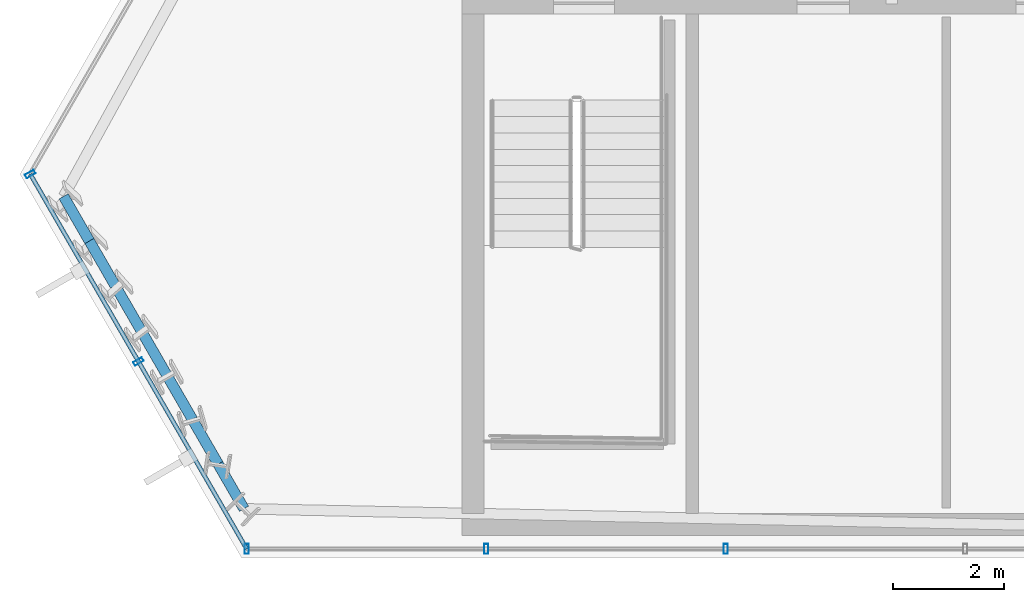
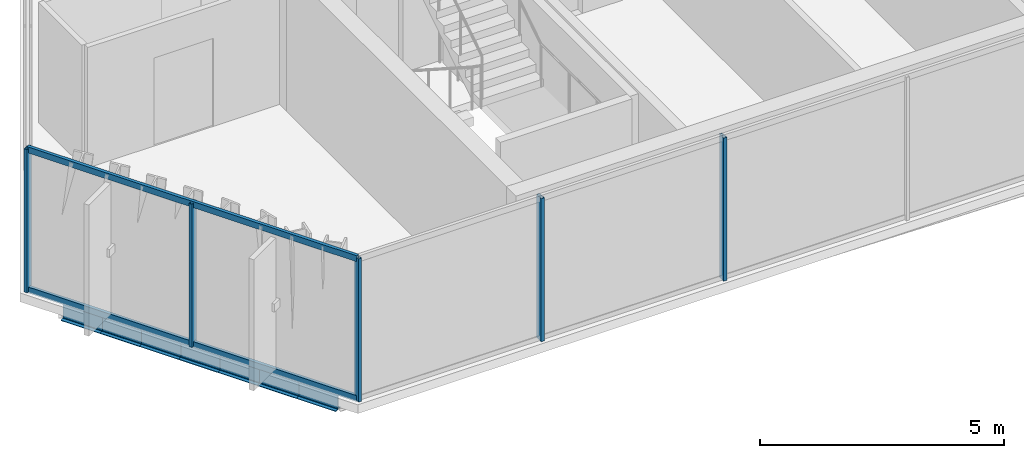
# One storey, part 2 of 30: 7 beams, 7 members, 2 elements without a shape of their own.
"""IFC4 building model written with IfcOpenShell, lengths in metres."""

from ifc_helpers import new_model, si_unit, direction, frame, origin, origin_2d, place, context, subcontext, project, spatial, hollow_rectangle, i_section, extrude, material, layer, layer_set, material_profile, profile_set, type_object, element, aggregate, save


model = new_model("IFC4")

# Units and contexts
model_context = context("Model", 3, precision=1e-05, world=origin(), true_north=direction((0.0, 1.0)))
body_context = subcontext(model_context, "Body", "Model", "MODEL_VIEW")
ifc_project = project(units=[si_unit("LENGTHUNIT", "METRE"), si_unit("AREAUNIT", "SQUARE_METRE"), si_unit("VOLUMEUNIT", "CUBIC_METRE"), si_unit("PLANEANGLEUNIT", "RADIAN"), si_unit("MASSUNIT", "GRAM", prefix="KILO")], contexts=[model_context])

# Site, building, storey
site_placement = place(None, origin())
site = spatial("IfcSite", under=ifc_project, at=site_placement, CompositionType="ELEMENT")
building_placement = place(site_placement, origin())
building = spatial("IfcBuilding", under=site, at=building_placement, Name="Ndaravel Arena Tower", CompositionType="ELEMENT")
storey_placement = place(building_placement, frame((0.0, 0.0, 225.60009765625)))
storey = spatial("IfcBuildingStorey", under=building, at=storey_placement, Name="L54", CompositionType="ELEMENT", Elevation=225.60009765625)

# Beams
ifc_material_1 = material(Name="Steel S355", Category="steel")
ifc_material_profile_1 = material_profile(ifc_material_1, i_section(OverallWidth=0.18994140625, OverallDepth=0.449951171875, WebThickness=0.009521484375, FlangeThickness=0.0146484375, FilletRadius=0.02099609375, at=origin_2d()), Name="IPE 450")
ifc_profile_set_1 = profile_set([ifc_material_profile_1], Name="Steel S355")
beam_type = type_object("IfcBeamType", Name="BM-SPAN-IPE450", PredefinedType="SPANDREL", material=ifc_profile_set_1)
beam_1_placement = place(storey_placement, frame((19.2666015625, 11.515869140625, -0.445068359375), z_axis=(0.499896791762, -0.866084982889, 0.0), x_axis=(0.866084982889, 0.499896791762, 0.0)))
element("IfcBeam", 1, at=beam_1_placement, inside=storey, type_object=beam_type, Name="L54 Perimeter Spandrel Beam SP-20", PredefinedType="SPANDREL", context=body_context, shape_type="SweptSolid", body=[
    extrude(i_section(OverallWidth=0.18994140625, OverallDepth=0.449951171875, WebThickness=0.009521484375, FlangeThickness=0.0146484375, FilletRadius=0.02099609375, at=origin_2d()), origin(), (0.0, 0.0, 1.0), 0.929443359375),
])
for number, where, z_axis, x_axis, name in (
    (2, (19.731201171875, 10.7109375, -0.445068359375), (0.500207565094, -0.865905532852, 0.0), (0.865905532852, 0.500207565094, 0.0), "L54 Perimeter Spandrel Beam SP-21"),
    (3, (20.196044921875, 9.90625, -0.445068359375), (0.500010545262, -0.866019315389, 0.0), (0.866019315389, 0.500010545262, 0.0), "L54 Perimeter Spandrel Beam SP-22"),
):
    element("IfcBeam", number, at=place(storey_placement, frame(where, z_axis=z_axis, x_axis=x_axis)), inside=storey, type_object=beam_type, Name=name, PredefinedType="SPANDREL", context=body_context, shape_type="SweptSolid", body=[
        extrude(i_section(OverallWidth=0.18994140625, OverallDepth=0.449951171875, WebThickness=0.009521484375, FlangeThickness=0.0146484375, FilletRadius=0.02099609375, at=origin_2d()), origin(), (0.0, 0.0, 1.0), 0.92919921875),
    ])
beam_2_placement = place(storey_placement, frame((20.66064453125, 9.1015625, -0.445068359375), z_axis=(0.499896791762, -0.866084982889, 0.0), x_axis=(0.866084982889, 0.499896791762, 0.0)))
element("IfcBeam", 4, at=beam_2_placement, inside=storey, type_object=beam_type, Name="L54 Perimeter Spandrel Beam SP-23", PredefinedType="SPANDREL", context=body_context, shape_type="SweptSolid", body=[
    extrude(i_section(OverallWidth=0.18994140625, OverallDepth=0.449951171875, WebThickness=0.009521484375, FlangeThickness=0.0146484375, FilletRadius=0.02099609375, at=origin_2d()), origin(), (0.0, 0.0, 1.0), 0.929443359375),
])
for number, where, z_axis, x_axis, name in (
    (5, (21.125244140625, 8.296630859375, -0.445068359375), (0.500010545262, -0.866019315389, 0.0), (0.866019315389, 0.500010545262, 0.0), "L54 Perimeter Spandrel Beam SP-24"),
    (6, (21.58984375, 7.491943359375, -0.445068359375), (0.500010545262, -0.866019315389, 0.0), (0.866019315389, 0.500010545262, 0.0), "L54 Perimeter Spandrel Beam SP-25"),
):
    element("IfcBeam", number, at=place(storey_placement, frame(where, z_axis=z_axis, x_axis=x_axis)), inside=storey, type_object=beam_type, Name=name, PredefinedType="SPANDREL", context=body_context, shape_type="SweptSolid", body=[
        extrude(i_section(OverallWidth=0.18994140625, OverallDepth=0.449951171875, WebThickness=0.009521484375, FlangeThickness=0.0146484375, FilletRadius=0.02099609375, at=origin_2d()), origin(), (0.0, 0.0, 1.0), 0.92919921875),
    ])
beam_3_placement = place(storey_placement, frame((22.054443359375, 6.687255859375, -0.445068359375), z_axis=(0.499896791762, -0.866084982889, 0.0), x_axis=(0.866084982889, 0.499896791762, 0.0)))
element("IfcBeam", 7, at=beam_3_placement, inside=storey, type_object=beam_type, Name="L54 Perimeter Spandrel Beam SP-26", PredefinedType="SPANDREL", context=body_context, shape_type="SweptSolid", body=[
    extrude(i_section(OverallWidth=0.18994140625, OverallDepth=0.449951171875, WebThickness=0.009521484375, FlangeThickness=0.0146484375, FilletRadius=0.02099609375, at=origin_2d()), origin(), (0.0, 0.0, 1.0), 0.929443359375),
])

# Curtain wall, members
ifc_material_2 = material(Name="Aluminium", Category="aluminium")
ifc_layer_1 = layer(ifc_material_2, 0.179931640625)
ifc_layer_set_1 = layer_set([ifc_layer_1], Name="Aluminium")
curtain_wall_type_1 = type_object("IfcCurtainWallType", Name="CW-SYS-03", PredefinedType="NOTDEFINED", material=ifc_layer_set_1)
curtain_wall_1_placement = place(storey_placement, origin())
curtain_wall_1 = element("IfcCurtainWall", 8, at=curtain_wall_1_placement, inside=storey, type_object=curtain_wall_type_1, Name="L54 Faceted Crystal Curtain Wall CW-L54-E01", PredefinedType="NOTDEFINED")
ifc_material_3 = material(Name="Aluminium", Category="aluminium")
ifc_material_profile_2 = material_profile(ifc_material_3, hollow_rectangle(XDim=0.074951171875, YDim=0.179931640625, WallThickness=0.00390625, at=origin_2d()), Name="CW MULLION 75x180x4")
ifc_profile_set_2 = profile_set([ifc_material_profile_2], Name="Aluminium")
member_type_1 = type_object("IfcMemberType", Name="MEM-CW-MUL180", PredefinedType="MULLION", material=ifc_profile_set_2)
member_1_placement = place(storey_placement, frame((22.566650390625, 5.159912109375, 0.0), z_axis=(0.0, 0.0, 1.0), x_axis=(1.0, 0.0, 0.0)))
member_1 = element("IfcMember", 9, at=member_1_placement, type_object=member_type_1, Name="CW-L54-E01 Mullion 00", PredefinedType="MULLION", context=body_context, shape_type="SweptSolid", body=[
    extrude(hollow_rectangle(XDim=0.074951171875, YDim=0.179931640625, WallThickness=0.00390625, at=origin_2d()), origin(), (0.0, 0.0, 1.0), 3.579833984375),
])
member_2_placement = place(storey_placement, frame((26.88525390625, 5.159912109375, 0.0), z_axis=(0.0, 0.0, 1.0), x_axis=(1.0, 0.0, 0.0)))
member_2 = element("IfcMember", 10, at=member_2_placement, type_object=member_type_1, Name="CW-L54-E01 Mullion 01", PredefinedType="MULLION", context=body_context, shape_type="SweptSolid", body=[
    extrude(hollow_rectangle(XDim=0.074951171875, YDim=0.179931640625, WallThickness=0.00390625, at=origin_2d()), origin(), (0.0, 0.0, 1.0), 3.579833984375),
])
member_3_placement = place(storey_placement, frame((31.20361328125, 5.159912109375, 0.0), z_axis=(0.0, 0.0, 1.0), x_axis=(1.0, 0.0, 0.0)))
member_3 = element("IfcMember", 11, at=member_3_placement, type_object=member_type_1, Name="CW-L54-E01 Mullion 02", PredefinedType="MULLION", context=body_context, shape_type="SweptSolid", body=[
    extrude(hollow_rectangle(XDim=0.074951171875, YDim=0.179931640625, WallThickness=0.00390625, at=origin_2d()), origin(), (0.0, 0.0, 1.0), 3.579833984375),
])
aggregate(curtain_wall_1, [member_1, member_2, member_3])

ifc_material_4 = material(Name="Aluminium", Category="aluminium")
ifc_layer_2 = layer(ifc_material_4, 0.179931640625)
ifc_layer_set_2 = layer_set([ifc_layer_2], Name="Aluminium")
curtain_wall_type_2 = type_object("IfcCurtainWallType", Name="CW-SYS-02", PredefinedType="NOTDEFINED", material=ifc_layer_set_2)
curtain_wall_2_placement = place(storey_placement, origin())
curtain_wall_2 = element("IfcCurtainWall", 12, at=curtain_wall_2_placement, inside=storey, type_object=curtain_wall_type_2, Name="L54 Faceted Crystal Curtain Wall CW-L54-E06", PredefinedType="NOTDEFINED")
member_4_placement = place(storey_placement, frame((18.664794921875, 11.918212890625, 0.0), z_axis=(0.0, 0.0, 1.0), x_axis=(0.5, -0.866025403784, 0.0)))
member_4 = element("IfcMember", 13, at=member_4_placement, type_object=member_type_1, Name="CW-L54-E06 Mullion 00", PredefinedType="MULLION", context=body_context, shape_type="SweptSolid", body=[
    extrude(hollow_rectangle(XDim=0.074951171875, YDim=0.179931640625, WallThickness=0.00390625, at=origin_2d()), origin(), (0.0, 0.0, 1.0), 3.579833984375),
])
member_5_placement = place(storey_placement, frame((20.61572265625, 8.5390625, 0.0), z_axis=(0.0, 0.0, 1.0), x_axis=(0.5, -0.866025403784, 0.0)))
member_5 = element("IfcMember", 14, at=member_5_placement, type_object=member_type_1, Name="CW-L54-E06 Mullion 01", PredefinedType="MULLION", context=body_context, shape_type="SweptSolid", body=[
    extrude(hollow_rectangle(XDim=0.074951171875, YDim=0.179931640625, WallThickness=0.00390625, at=origin_2d()), origin(), (0.0, 0.0, 1.0), 3.579833984375),
])
ifc_material_5 = material(Name="Aluminium", Category="aluminium")
ifc_material_profile_3 = material_profile(ifc_material_5, hollow_rectangle(XDim=0.074951171875, YDim=0.14990234375, WallThickness=0.00390625, at=origin_2d()), Name="CW TRANSOM 75x150x4")
ifc_profile_set_3 = profile_set([ifc_material_profile_3], Name="Aluminium")
member_type_2 = type_object("IfcMemberType", Name="MEM-CW-TRN150", PredefinedType="USERDEFINED", material=ifc_profile_set_3)
member_6_placement = place(storey_placement, frame((18.664794921875, 11.918212890625, 0.039794921875), z_axis=(0.499995069063, -0.866028250644, 0.0), x_axis=(0.866028250644, 0.499995069063, 0.0)))
member_6 = element("IfcMember", 15, at=member_6_placement, type_object=member_type_2, Name="CW-L54-E06 Transom 01", ObjectType="TRANSOM", PredefinedType="USERDEFINED", context=body_context, shape_type="SweptSolid", body=[
    extrude(hollow_rectangle(XDim=0.074951171875, YDim=0.14990234375, WallThickness=0.00390625, at=origin_2d()), origin(), (0.0, 0.0, 1.0), 7.8037109375),
])
member_7_placement = place(storey_placement, frame((18.664794921875, 11.918212890625, 3.539794921875), z_axis=(0.499995069063, -0.866028250644, 0.0), x_axis=(0.866028250644, 0.499995069063, 0.0)))
member_7 = element("IfcMember", 16, at=member_7_placement, type_object=member_type_2, Name="CW-L54-E06 Transom 02", ObjectType="TRANSOM", PredefinedType="USERDEFINED", context=body_context, shape_type="SweptSolid", body=[
    extrude(hollow_rectangle(XDim=0.074951171875, YDim=0.14990234375, WallThickness=0.00390625, at=origin_2d()), origin(), (0.0, 0.0, 1.0), 7.8037109375),
])
aggregate(curtain_wall_2, [member_4, member_5, member_6, member_7])

save(model, "model.ifc")
